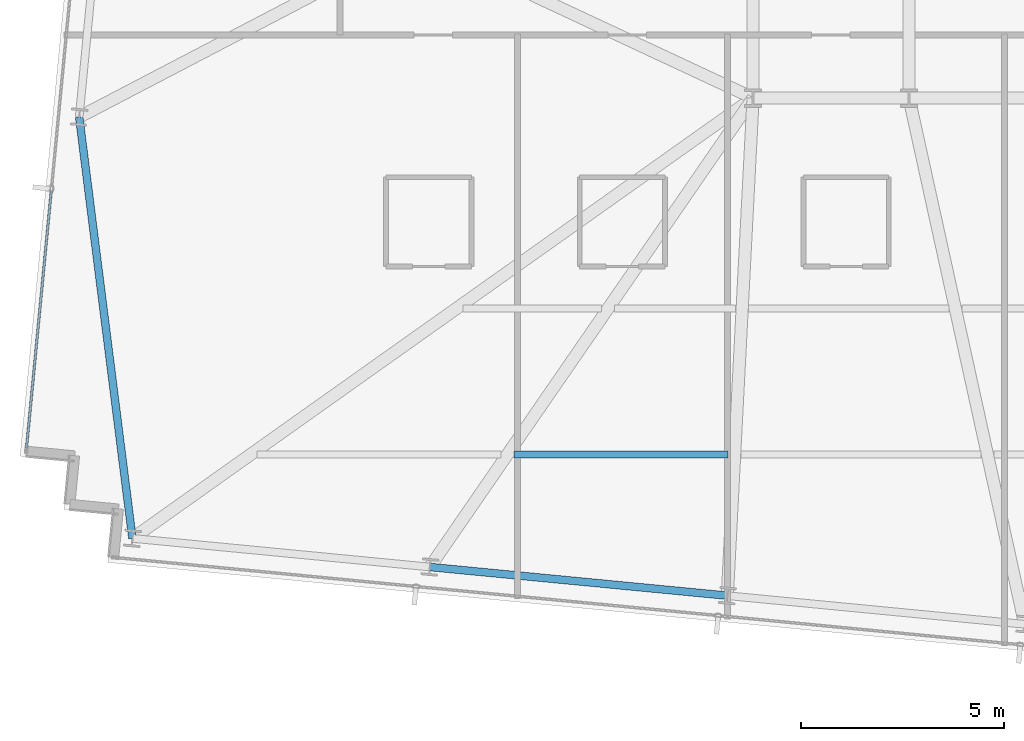
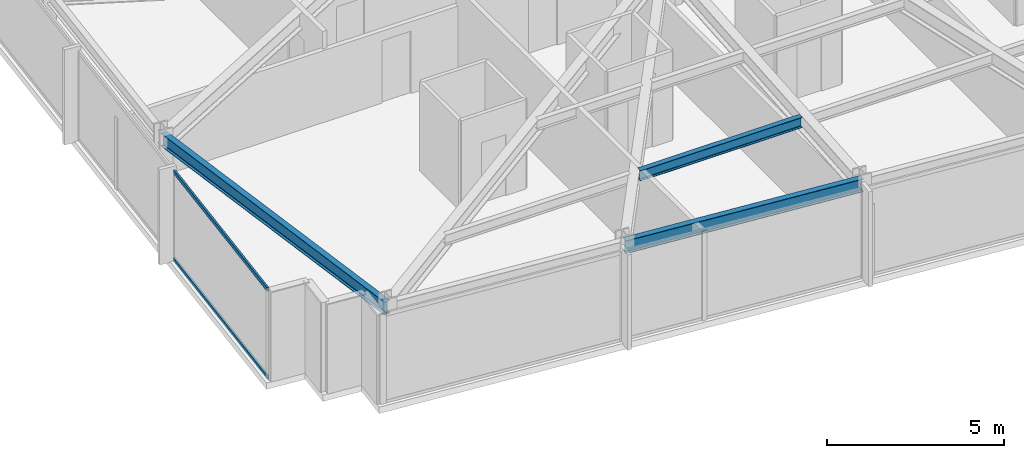
# One storey, part 3 of 38: 3 beams, 2 members, 1 element without a shape of its own.
"""IFC4 building model written with IfcOpenShell, lengths in metres."""

from ifc_helpers import new_model, si_unit, direction, frame, origin, origin_2d, place, context, subcontext, project, spatial, hollow_rectangle, i_section, extrude, material, material_profile, profile_set, type_object, element, aggregate, save


model = new_model("IFC4")

# Units and contexts
model_context = context("Model", 3, precision=1e-05, world=origin(), true_north=direction((0.0, 1.0)))
body_context = subcontext(model_context, "Body", "Model", "MODEL_VIEW")
ifc_project = project(units=[si_unit("LENGTHUNIT", "METRE"), si_unit("AREAUNIT", "SQUARE_METRE"), si_unit("VOLUMEUNIT", "CUBIC_METRE"), si_unit("PLANEANGLEUNIT", "RADIAN"), si_unit("MASSUNIT", "GRAM", prefix="KILO")], contexts=[model_context])

# Site, building, storey
site_placement = place(None, origin())
site = spatial("IfcSite", under=ifc_project, at=site_placement, CompositionType="ELEMENT")
building_placement = place(site_placement, origin())
building = spatial("IfcBuilding", under=site, at=building_placement, Name="Yelkora Congress Tower", CompositionType="ELEMENT")
storey_placement = place(building_placement, frame((0.0, 0.0, 172.10009765625)))
storey = spatial("IfcBuildingStorey", under=building, at=storey_placement, Name="L47", CompositionType="ELEMENT", Elevation=172.10009765625)

# Beams
ifc_material_1 = material(Name="Steel S355J2", Category="steel")
ifc_material_profile_1 = material_profile(ifc_material_1, i_section(OverallWidth=0.169921875, OverallDepth=0.360107421875, WebThickness=0.008056640625, FlangeThickness=0.0126953125, FilletRadius=0.01806640625, at=origin_2d()), Name="IPE 360")
ifc_profile_set_1 = profile_set([ifc_material_profile_1], Name="Steel S355J2")
beam_type_1 = type_object("IfcBeamType", Name="BM-JOIST-IPE360", PredefinedType="JOIST", material=ifc_profile_set_1)
beam_1_placement = place(storey_placement, frame((13.310546875, 16.421142578125, 2.89990234375), z_axis=(1.0, 0.0, 0.0), x_axis=(0.0, 1.0, 0.0)))
element("IfcBeam", 1, at=beam_1_placement, inside=storey, type_object=beam_type_1, Name="L47 Composite Floor Joist 6", PredefinedType="JOIST", context=body_context, shape_type="SweptSolid", body=[
    extrude(i_section(OverallWidth=0.169921875, OverallDepth=0.360107421875, WebThickness=0.008056640625, FlangeThickness=0.0126953125, FilletRadius=0.01806640625, at=origin_2d()), origin(), (0.0, 0.0, 1.0), 5.275146484375),
])
ifc_material_profile_2 = material_profile(ifc_material_1, i_section(OverallWidth=0.18994140625, OverallDepth=0.449951171875, WebThickness=0.009521484375, FlangeThickness=0.0146484375, FilletRadius=0.02099609375, at=origin_2d()), Name="IPE 450")
ifc_profile_set_2 = profile_set([ifc_material_profile_2], Name="Steel S355J2")
beam_type_2 = type_object("IfcBeamType", Name="BM-SPAN-IPE450", PredefinedType="SPANDREL", material=ifc_profile_set_2)
beam_2_placement = place(storey_placement, frame((2.607421875, 24.730712890625, 2.85498046875), z_axis=(0.125457133578, -0.992099041243, 0.0), x_axis=(0.992099041243, 0.125457133578, 0.0)))
element("IfcBeam", 2, at=beam_2_placement, inside=storey, type_object=beam_type_2, Name="L47 Perimeter Beam 1", PredefinedType="SPANDREL", context=body_context, shape_type="SweptSolid", body=[
    extrude(i_section(OverallWidth=0.18994140625, OverallDepth=0.449951171875, WebThickness=0.009521484375, FlangeThickness=0.0146484375, FilletRadius=0.02099609375, at=origin_2d()), origin(), (0.0, 0.0, 1.0), 10.455810546875),
])
beam_3_placement = place(storey_placement, frame((11.242431640625, 13.652099609375, 2.85498046875), z_axis=(0.995397409467, -0.095833173935, 0.0), x_axis=(0.095833173935, 0.995397409467, 0.0)))
element("IfcBeam", 3, at=beam_3_placement, inside=storey, type_object=beam_type_2, Name="L47 Perimeter Beam 3", PredefinedType="SPANDREL", context=body_context, shape_type="SweptSolid", body=[
    extrude(i_section(OverallWidth=0.18994140625, OverallDepth=0.449951171875, WebThickness=0.009521484375, FlangeThickness=0.0146484375, FilletRadius=0.02099609375, at=origin_2d()), origin(), (0.0, 0.0, 1.0), 7.357421875),
])

# Curtain wall, members
ifc_material_2 = material(Name="Anodised aluminium and insulated glass", Category="aluminium")
curtain_wall_type = type_object("IfcCurtainWallType", Name="CW-SYS-B3", PredefinedType="NOTDEFINED", material=ifc_material_2)
curtain_wall_placement = place(storey_placement, origin())
curtain_wall = element("IfcCurtainWall", 4, at=curtain_wall_placement, inside=storey, type_object=curtain_wall_type, Name="L47 Unitised Curtain Wall 5", PredefinedType="NOTDEFINED")
ifc_material_3 = material(Name="Anodised aluminium 6063-T6", Category="aluminium")
ifc_material_profile_3 = material_profile(ifc_material_3, hollow_rectangle(XDim=0.06005859375, YDim=0.1298828125, WallThickness=0.00390625, at=origin_2d()), Name="ALU 60x130x4")
ifc_profile_set_3 = profile_set([ifc_material_profile_3], Name="Anodised aluminium 6063-T6")
member_type = type_object("IfcMemberType", Name="MEM-TR-B3", PredefinedType="USERDEFINED", material=ifc_profile_set_3)
member_1_placement = place(storey_placement, frame((1.31005859375, 16.57763671875, 0.02978515625), z_axis=(0.095834923543, 0.99539724102, 0.0), x_axis=(-0.99539724102, 0.095834923543, 0.0)))
member_1 = element("IfcMember", 5, at=member_1_placement, type_object=member_type, Name="CW-B3 transom 1.1", ObjectType="TRANSOM", PredefinedType="USERDEFINED", context=body_context, shape_type="SweptSolid", body=[
    extrude(hollow_rectangle(XDim=0.06005859375, YDim=0.1298828125, WallThickness=0.00390625, at=origin_2d()), origin(), (0.0, 0.0, 1.0), 6.37890625),
])
member_2_placement = place(storey_placement, frame((1.31005859375, 16.57763671875, 3.0498046875), z_axis=(0.095834923543, 0.99539724102, 0.0), x_axis=(-0.99539724102, 0.095834923543, 0.0)))
member_2 = element("IfcMember", 6, at=member_2_placement, type_object=member_type, Name="CW-B3 transom 1.2", ObjectType="TRANSOM", PredefinedType="USERDEFINED", context=body_context, shape_type="SweptSolid", body=[
    extrude(hollow_rectangle(XDim=0.06005859375, YDim=0.1298828125, WallThickness=0.00390625, at=origin_2d()), origin(), (0.0, 0.0, 1.0), 6.37890625),
])
aggregate(curtain_wall, [member_1, member_2])

save(model, "model.ifc")
